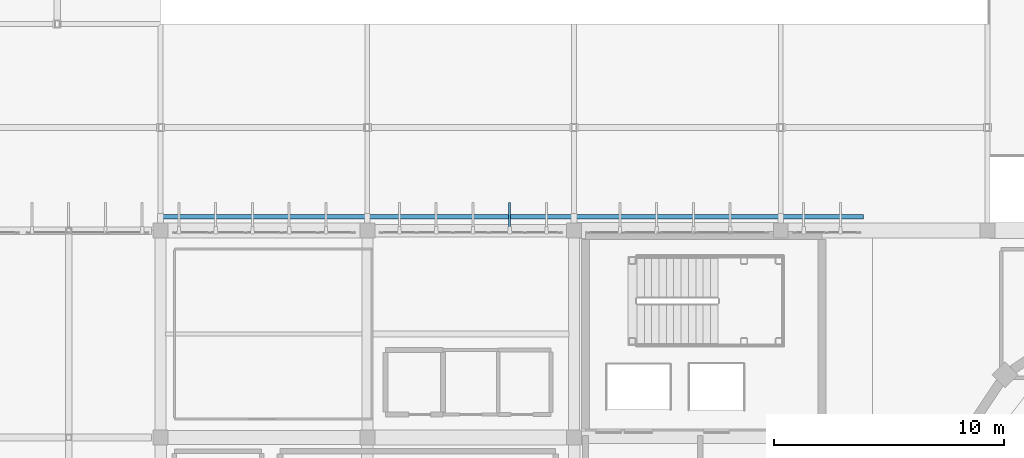
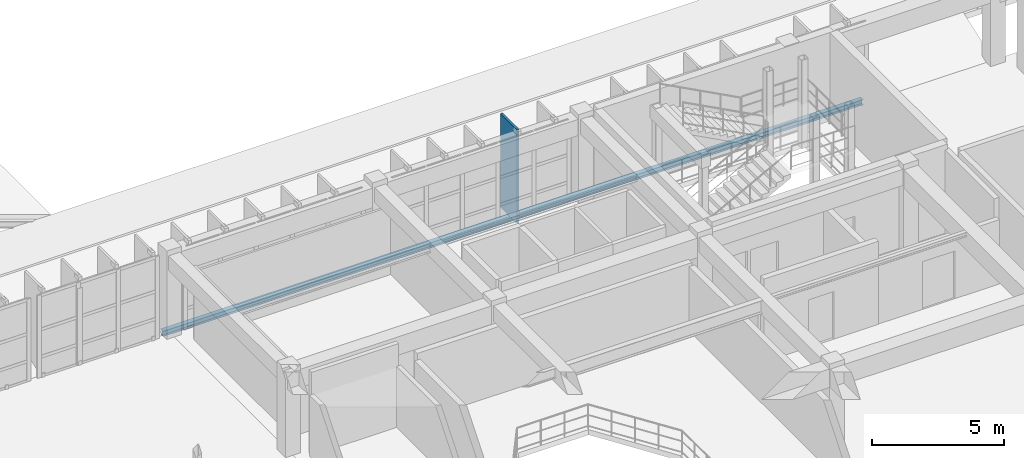
# One storey, part 40 of 80: 1 beam, 1 member.
"""IFC4 building model written with IfcOpenShell, lengths in metres."""

from ifc_helpers import new_model, si_unit, direction, frame, origin, origin_2d, place, context, subcontext, project, spatial, rectangle, i_section, extrude, material, material_profile, profile_set, type_object, element, save


model = new_model("IFC4")

# Units and contexts
model_context = context("Model", 3, precision=1e-05, world=origin(), true_north=direction((0.0, 1.0)))
body_context = subcontext(model_context, "Body", "Model", "MODEL_VIEW")
ifc_project = project(units=[si_unit("LENGTHUNIT", "METRE"), si_unit("AREAUNIT", "SQUARE_METRE"), si_unit("VOLUMEUNIT", "CUBIC_METRE"), si_unit("PLANEANGLEUNIT", "RADIAN"), si_unit("MASSUNIT", "GRAM", prefix="KILO")], contexts=[model_context])

# Site, building, storey
site_placement = place(None, origin())
site = spatial("IfcSite", under=ifc_project, at=site_placement, CompositionType="ELEMENT")
building_placement = place(site_placement, origin())
building = spatial("IfcBuilding", under=site, at=building_placement, Name="Miravela Opera House", CompositionType="ELEMENT")
storey_placement = place(building_placement, frame((0.0, 0.0, 17.679931640625)))
storey = spatial("IfcBuildingStorey", under=building, at=storey_placement, Name="L04", CompositionType="ELEMENT", Elevation=17.679931640625)

# Member
ifc_material_1 = material(Name="Anodised architectural bronze aluminium 6063-T6", Category="aluminium")
ifc_material_profile_1 = material_profile(ifc_material_1, rectangle(XDim=0.090087890625, YDim=1.25, at=origin_2d()), Name="FIN-1250X90")
ifc_profile_set_1 = profile_set([ifc_material_profile_1])
member_type = type_object("IfcMemberType", Name="ARC-FIN-1250", PredefinedType="USERDEFINED", material=ifc_profile_set_1)
member_placement = place(storey_placement, frame((42.199951171875, 75.60498046875, -0.239990234375), z_axis=(0.0, 0.0, 1.0), x_axis=(1.0, 0.0, 0.0)))
element("IfcMember", 1, at=member_placement, inside=storey, type_object=member_type, Name="Auditorium Wrapper Bronze Solar Fin FIN-L04-NORTH-0125", ObjectType="FIN", PredefinedType="USERDEFINED", context=body_context, shape_type="SweptSolid", body=[
    extrude(rectangle(XDim=0.090087890625, YDim=1.25, at=origin_2d()), origin(), (0.0, 0.0, 1.0), 4.320068359375),
])

# Beam
ifc_material_2 = material(Name="Structural steel ASTM A992 Gr. 50", Category="steel")
ifc_material_profile_2 = material_profile(ifc_material_2, i_section(OverallWidth=0.201904296875, OverallDepth=0.2470703125, WebThickness=0.00732421875, FlangeThickness=0.010986328125, FilletRadius=0.011962890625, at=origin_2d()), Name="W250X49")
ifc_profile_set_2 = profile_set([ifc_material_profile_2])
beam_type = type_object("IfcBeamType", Name="STR-BM-W250X49", PredefinedType="LINTEL", material=ifc_profile_set_2)
beam_placement = place(storey_placement, frame((27.0, 75.60498046875, -0.363525390625), z_axis=(1.0, 0.0, 0.0), x_axis=(0.0, 1.0, 0.0)))
element("IfcBeam", 2, at=beam_placement, inside=storey, type_object=beam_type, Name="Facade Fin Support Ledger Beam L04 North", PredefinedType="LINTEL", context=body_context, shape_type="SweptSolid", body=[
    extrude(i_section(OverallWidth=0.201904296875, OverallDepth=0.2470703125, WebThickness=0.00732421875, FlangeThickness=0.010986328125, FilletRadius=0.011962890625, at=origin_2d()), origin(), (0.0, 0.0, 1.0), 30.60009765625),
])

save(model, "model.ifc")
